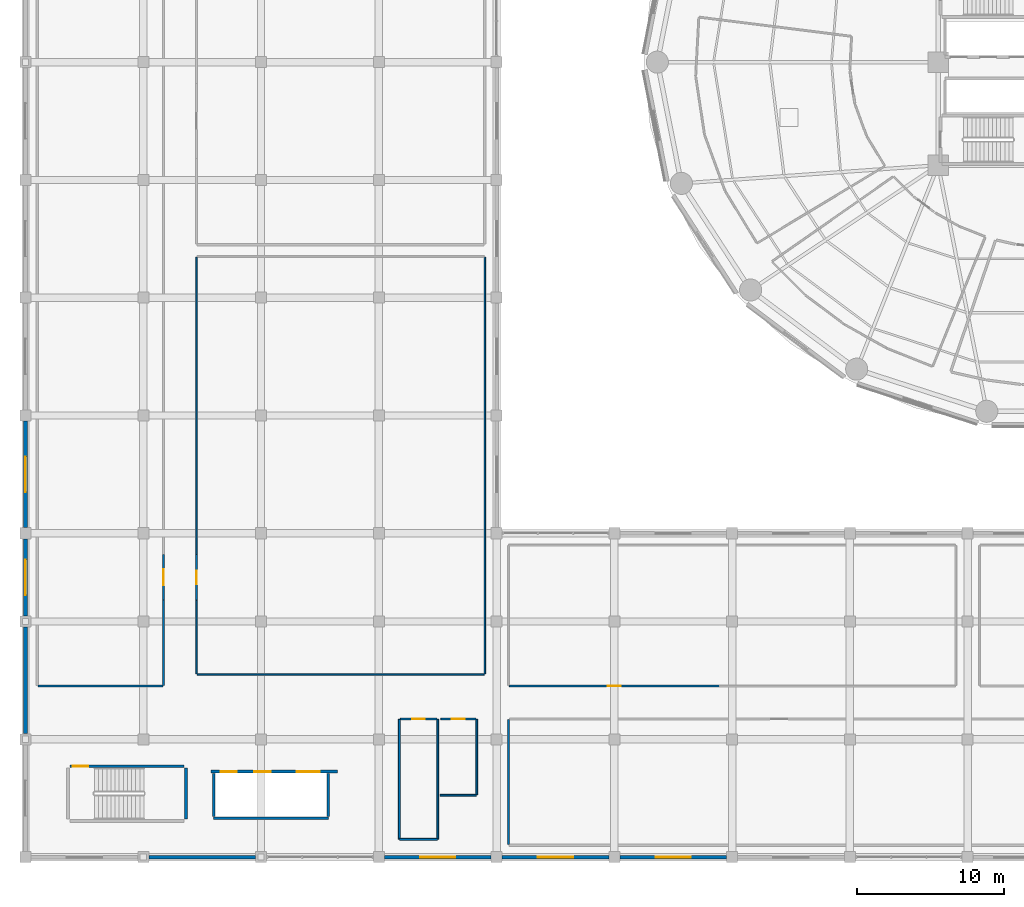
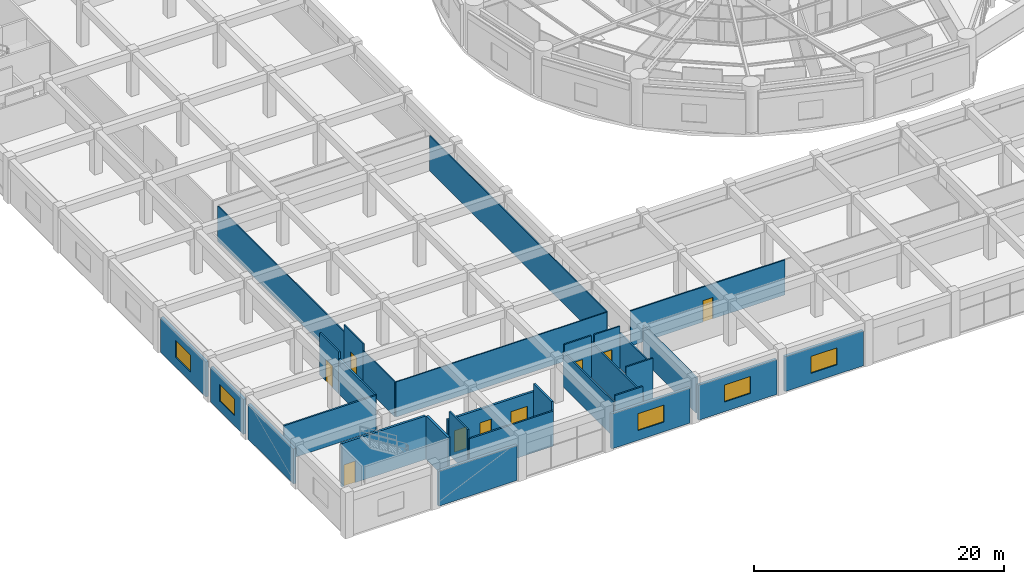
# One storey, part 40 of 53: 30 walls, 9 doors, 5 windows, 14 openings.
"""IFC4 building model written with IfcOpenShell, lengths in metres."""

from ifc_helpers import new_model, si_unit, direction, frame, frame_2d, origin, place, context, subcontext, project, spatial, rectangle, extrude, material, layer, layer_set, type_object, element, fill, save


model = new_model("IFC4")

# Units and contexts
model_context = context("Model", 3, precision=1e-05, world=origin(), true_north=direction((0.0, 1.0)))
body_context = subcontext(model_context, "Body", "Model", "MODEL_VIEW")
ifc_project = project(units=[si_unit("LENGTHUNIT", "METRE"), si_unit("AREAUNIT", "SQUARE_METRE"), si_unit("VOLUMEUNIT", "CUBIC_METRE"), si_unit("PLANEANGLEUNIT", "RADIAN"), si_unit("MASSUNIT", "GRAM", prefix="KILO")], contexts=[model_context])

# Site, building, storey
site_placement = place(None, origin())
site = spatial("IfcSite", under=ifc_project, at=site_placement, CompositionType="ELEMENT")
building_placement = place(site_placement, origin())
building = spatial("IfcBuilding", under=site, at=building_placement, Name="Kelanora Arch Commons", CompositionType="ELEMENT")
storey_placement = place(building_placement, frame((0.0, 0.0, 9.0)))
storey = spatial("IfcBuildingStorey", under=building, at=storey_placement, Name="L02", CompositionType="ELEMENT", Elevation=9.0)

# Walls
ifc_material_1 = material(Name="Autoclaved aerated concrete blockwork with fire plaster", Category="masonry")
ifc_layer_1 = layer(ifc_material_1, 0.14990234375)
ifc_layer_set_1 = layer_set([ifc_layer_1], Name="Autoclaved aerated concrete blockwork with fire plaster")
wall_type_1 = type_object("IfcWallType", Name="W-COMP-150", PredefinedType="PARTITIONING", material=ifc_layer_set_1)
wall_1_placement = place(storey_placement, frame((16.780029296875, 6.639892578125, 0.0), z_axis=(0.0, 0.0, 1.0), x_axis=(1.0, 0.0, 0.0)))
element("IfcWall", 1, at=wall_1_placement, inside=storey, type_object=wall_type_1, Name="Market South Lift Bank Back Wall L02", PredefinedType="PARTITIONING", context=body_context, shape_type="SweptSolid", body=[
    extrude(rectangle(XDim=7.7900390625, YDim=0.14990234375, at=frame_2d((3.89501953125, 0.0))), origin(), (0.0, 0.0, 1.0), 3.425048828125),
])
for number, where, z_axis, x_axis, name in (
    (2, (16.780029296875, 6.760009765625, 0.0), (0.0, 0.0, 1.0), (0.0, 1.0, 0.0), "Market South Lift Bank West Wall L02"),
    (3, (24.570068359375, 6.760009765625, 0.0), (0.0, 0.0, 1.0), (0.0, 1.0, 0.0), "Market South Lift Bank East Wall L02"),
):
    element("IfcWall", number, at=place(storey_placement, frame(where, z_axis=z_axis, x_axis=x_axis)), inside=storey, type_object=wall_type_1, Name=name, PredefinedType="PARTITIONING", context=body_context, shape_type="SweptSolid", body=[
        extrude(rectangle(XDim=2.909912109375, YDim=0.14990234375, at=frame_2d((1.455078125, 0.0))), origin(), (0.0, 0.0, 1.0), 4.22998046875),
    ])

# Wall, opening, door
wall_2_placement = place(storey_placement, frame((13.3798828125, 21.4599609375, 0.0), z_axis=(0.0, 0.0, 1.0), x_axis=(0.0, 1.0, 0.0)))
wall_2 = element("IfcWall", 4, at=wall_2_placement, inside=storey, type_object=wall_type_1, Name="Market West Textile Archive Store L02 Entry Partition", PredefinedType="PARTITIONING", context=body_context, shape_type="SweptSolid", body=[
    extrude(rectangle(XDim=3.080078125, YDim=0.14990234375, at=frame_2d((1.5400390625, 0.0))), origin(), (0.0, 0.0, 1.0), 4.090087890625),
])
opening_1_placement = place(wall_2_placement, frame((1.0, 0.0, 0.0)))
opening_1 = element("IfcOpeningElement", 5, at=opening_1_placement, cuts=wall_2, Name="Opening D-PLT1", PredefinedType="OPENING", context=body_context, shape_type="SweptSolid", body=[
    extrude(rectangle(XDim=1.080078125, YDim=2.10009765625, at=frame_2d((0.5400390625, 1.050048828125))), frame((0.0, 0.0849609375, 0.0), z_axis=(0.0, -1.0, 0.0), x_axis=(1.0, 0.0, 0.0)), (0.0, 0.0, 1.0), 0.169921875),
])
ifc_material_2 = material(Name="Galvanised steel plant and riser fire door", Category="steel")
door_type_1 = type_object("IfcDoorType", Name="D-PLT-110", OperationType="NOTDEFINED", PredefinedType="DOOR", material=ifc_material_2)
door_1_placement = place(opening_1_placement, origin())
door_1 = element("IfcDoor", 6, at=door_1_placement, inside=storey, type_object=door_type_1, Name="Market West Textile Archive Store L02 Door", OperationType="SINGLE_SWING_RIGHT", OverallHeight=2.10009765625, OverallWidth=1.080078125, PredefinedType="DOOR", context=body_context, shape_type="SweptSolid", body=[
    extrude(rectangle(XDim=1.080078125, YDim=2.10009765625, at=frame_2d((0.5400390625, 1.050048828125))), frame((0.0, 0.02490234375, 0.0), z_axis=(0.0, -1.0, 0.0), x_axis=(1.0, 0.0, 0.0)), (0.0, 0.0, 1.0), 0.050048828125),
])
fill(opening_1, door_1)

# Walls
for number, where, z_axis, x_axis, name in (
    (7, (36.800048828125, 13.340087890625, 0.0), (0.0, 0.0, 1.0), (0.0, -1.0, 0.0), "Market South Cold Room and Dry Store L02 Enclosure Partition 4"),
    (8, (4.840087890625, 15.6201171875, 0.0), (0.0, 0.0, 1.0), (1.0, 0.0, 0.0), "Market West Textile Archive Store L02 Enclosure Partition 1"),
):
    element("IfcWall", number, at=place(storey_placement, frame(where, z_axis=z_axis, x_axis=x_axis)), inside=storey, type_object=wall_type_1, Name=name, PredefinedType="PARTITIONING", context=body_context, shape_type="SweptSolid", body=[
        extrude(rectangle(XDim=8.5, YDim=0.14990234375, at=frame_2d((4.25, 0.0))), origin(), (0.0, 0.0, 1.0), 3.425048828125),
    ])
wall_3_placement = place(storey_placement, frame((13.3798828125, 15.659912109375, 0.0), z_axis=(0.0, 0.0, 1.0), x_axis=(0.0, 1.0, 0.0)))
element("IfcWall", 9, at=wall_3_placement, inside=storey, type_object=wall_type_1, Name="Market West Textile Archive Store L02 Enclosure Partition 2", PredefinedType="PARTITIONING", context=body_context, shape_type="SweptSolid", body=[
    extrude(rectangle(XDim=5.800048828125, YDim=0.14990234375, at=frame_2d((2.89990234375, 0.0))), origin(), (0.0, 0.0, 1.0), 3.425048828125),
])
ifc_material_3 = material(Name="Precast concrete C40/50 with terracotta ceramic cladding", Category="masonry")
ifc_layer_2 = layer(ifc_material_3, 0.25)
ifc_layer_set_2 = layer_set([ifc_layer_2], Name="Precast concrete C40/50 with terracotta ceramic cladding")
wall_type_2 = type_object("IfcWallType", Name="W-EXT-MKT", PredefinedType="SOLIDWALL", material=ifc_layer_set_2)
wall_4_placement = place(storey_placement, frame((12.3798828125, 4.0, 0.0), z_axis=(0.0, 0.0, 1.0), x_axis=(1.0, 0.0, 0.0)))
element("IfcWall", 10, at=wall_4_placement, inside=storey, type_object=wall_type_2, Name="Market Hall Exterior Wall L02-01", PredefinedType="SOLIDWALL", context=body_context, shape_type="SweptSolid", body=[
    extrude(rectangle(XDim=7.240234375, YDim=0.25, at=frame_2d((3.6201171875, 0.0))), origin(), (0.0, 0.0, 1.0), 3.419921875),
])

# Wall, opening, window
wall_5_placement = place(storey_placement, frame((28.3798828125, 4.0, 0.0), z_axis=(0.0, 0.0, 1.0), x_axis=(1.0, 0.0, 0.0)))
wall_5 = element("IfcWall", 11, at=wall_5_placement, inside=storey, type_object=wall_type_2, Name="Market Hall Exterior Wall L02-03", PredefinedType="SOLIDWALL", context=body_context, shape_type="SweptSolid", body=[
    extrude(rectangle(XDim=7.240234375, YDim=0.25, at=frame_2d((3.6201171875, 0.0))), origin(), (0.0, 0.0, 1.0), 3.419921875),
])
opening_2_placement = place(wall_5_placement, frame((2.419921875, 0.0, 0.949951171875)))
opening_2 = element("IfcOpeningElement", 12, at=opening_2_placement, cuts=wall_5, Name="Opening WN-03", PredefinedType="OPENING", context=body_context, shape_type="SweptSolid", body=[
    extrude(rectangle(XDim=2.39990234375, YDim=1.64990234375, at=frame_2d((1.199951171875, 0.824951171875))), frame((0.0, 0.135009765625, 0.0), z_axis=(0.0, -1.0, 0.0), x_axis=(1.0, 0.0, 0.0)), (0.0, 0.0, 1.0), 0.27001953125),
])
ifc_material_4 = material(Name="Bronze-terracotta aluminium monsoon clerestory window", Category="masonry")
window_type = type_object("IfcWindowType", Name="WIN-MKT-24", PartitioningType="TRIPLE_PANEL_VERTICAL", PredefinedType="WINDOW", material=ifc_material_4)
window_1_placement = place(opening_2_placement, origin())
window_1 = element("IfcWindow", 13, at=window_1_placement, inside=storey, type_object=window_type, Name="Market Hall Clerestory Window L02-03", OverallHeight=1.64990234375, OverallWidth=2.39990234375, PartitioningType="SINGLE_PANEL", PredefinedType="WINDOW", context=body_context, shape_type="SweptSolid", body=[
    extrude(rectangle(XDim=2.39990234375, YDim=1.64990234375, at=frame_2d((1.199951171875, 0.824951171875))), frame((0.0, 0.030029296875, 0.0), z_axis=(0.0, -1.0, 0.0), x_axis=(1.0, 0.0, 0.0)), (0.0, 0.0, 1.0), 0.06005859375),
])
fill(opening_2, window_1)

wall_6_placement = place(storey_placement, frame((36.3798828125, 4.0, 0.0), z_axis=(0.0, 0.0, 1.0), x_axis=(1.0, 0.0, 0.0)))
wall_6 = element("IfcWall", 14, at=wall_6_placement, inside=storey, type_object=wall_type_2, Name="Market Hall Exterior Wall L02-04", PredefinedType="SOLIDWALL", context=body_context, shape_type="SweptSolid", body=[
    extrude(rectangle(XDim=7.240234375, YDim=0.25, at=frame_2d((3.6201171875, 0.0))), origin(), (0.0, 0.0, 1.0), 3.419921875),
])
opening_3_placement = place(wall_6_placement, frame((2.419921875, 0.0, 0.949951171875)))
opening_3 = element("IfcOpeningElement", 15, at=opening_3_placement, cuts=wall_6, Name="Opening WN-03", PredefinedType="OPENING", context=body_context, shape_type="SweptSolid", body=[
    extrude(rectangle(XDim=2.39990234375, YDim=1.64990234375, at=frame_2d((1.199951171875, 0.824951171875))), frame((0.0, 0.135009765625, 0.0), z_axis=(0.0, -1.0, 0.0), x_axis=(1.0, 0.0, 0.0)), (0.0, 0.0, 1.0), 0.27001953125),
])
window_2_placement = place(opening_3_placement, origin())
window_2 = element("IfcWindow", 16, at=window_2_placement, inside=storey, type_object=window_type, Name="Market Hall Clerestory Window L02-04", OverallHeight=1.64990234375, OverallWidth=2.39990234375, PartitioningType="SINGLE_PANEL", PredefinedType="WINDOW", context=body_context, shape_type="SweptSolid", body=[
    extrude(rectangle(XDim=2.39990234375, YDim=1.64990234375, at=frame_2d((1.199951171875, 0.824951171875))), frame((0.0, 0.030029296875, 0.0), z_axis=(0.0, -1.0, 0.0), x_axis=(1.0, 0.0, 0.0)), (0.0, 0.0, 1.0), 0.06005859375),
])
fill(opening_3, window_2)

wall_7_placement = place(storey_placement, frame((44.3798828125, 4.0, 0.0), z_axis=(0.0, 0.0, 1.0), x_axis=(1.0, 0.0, 0.0)))
wall_7 = element("IfcWall", 17, at=wall_7_placement, inside=storey, type_object=wall_type_2, Name="Market Hall Exterior Wall L02-05", PredefinedType="SOLIDWALL", context=body_context, shape_type="SweptSolid", body=[
    extrude(rectangle(XDim=7.240234375, YDim=0.25, at=frame_2d((3.6201171875, 0.0))), origin(), (0.0, 0.0, 1.0), 3.419921875),
])
opening_4_placement = place(wall_7_placement, frame((2.419921875, 0.0, 0.949951171875)))
opening_4 = element("IfcOpeningElement", 18, at=opening_4_placement, cuts=wall_7, Name="Opening WN-03", PredefinedType="OPENING", context=body_context, shape_type="SweptSolid", body=[
    extrude(rectangle(XDim=2.39990234375, YDim=1.64990234375, at=frame_2d((1.199951171875, 0.824951171875))), frame((0.0, 0.135009765625, 0.0), z_axis=(0.0, -1.0, 0.0), x_axis=(1.0, 0.0, 0.0)), (0.0, 0.0, 1.0), 0.27001953125),
])
window_3_placement = place(opening_4_placement, origin())
window_3 = element("IfcWindow", 19, at=window_3_placement, inside=storey, type_object=window_type, Name="Market Hall Clerestory Window L02-05", OverallHeight=1.64990234375, OverallWidth=2.39990234375, PartitioningType="SINGLE_PANEL", PredefinedType="WINDOW", context=body_context, shape_type="SweptSolid", body=[
    extrude(rectangle(XDim=2.39990234375, YDim=1.64990234375, at=frame_2d((1.199951171875, 0.824951171875))), frame((0.0, 0.030029296875, 0.0), z_axis=(0.0, -1.0, 0.0), x_axis=(1.0, 0.0, 0.0)), (0.0, 0.0, 1.0), 0.06005859375),
])
fill(opening_4, window_3)

wall_8_placement = place(storey_placement, frame((4.0, 33.6201171875, 0.0), z_axis=(0.0, 0.0, 1.0), x_axis=(0.0, -1.0, 0.0)))
wall_8 = element("IfcWall", 20, at=wall_8_placement, inside=storey, type_object=wall_type_2, Name="Market Hall Exterior Wall L02-40", PredefinedType="SOLIDWALL", context=body_context, shape_type="SweptSolid", body=[
    extrude(rectangle(XDim=7.240234375, YDim=0.25, at=frame_2d((3.6201171875, 0.0))), origin(), (0.0, 0.0, 1.0), 3.419921875),
])
opening_5_placement = place(wall_8_placement, frame((2.419921875, 0.0, 0.949951171875)))
opening_5 = element("IfcOpeningElement", 21, at=opening_5_placement, cuts=wall_8, Name="Opening WN-03", PredefinedType="OPENING", context=body_context, shape_type="SweptSolid", body=[
    extrude(rectangle(XDim=2.39990234375, YDim=1.64990234375, at=frame_2d((1.199951171875, 0.824951171875))), frame((0.0, 0.135009765625, 0.0), z_axis=(0.0, -1.0, 0.0), x_axis=(1.0, 0.0, 0.0)), (0.0, 0.0, 1.0), 0.27001953125),
])
window_4_placement = place(opening_5_placement, origin())
window_4 = element("IfcWindow", 22, at=window_4_placement, inside=storey, type_object=window_type, Name="Market Hall Clerestory Window L02-40", OverallHeight=1.64990234375, OverallWidth=2.39990234375, PartitioningType="SINGLE_PANEL", PredefinedType="WINDOW", context=body_context, shape_type="SweptSolid", body=[
    extrude(rectangle(XDim=2.39990234375, YDim=1.64990234375, at=frame_2d((1.199951171875, 0.824951171875))), frame((0.0, 0.030029296875, 0.0), z_axis=(0.0, -1.0, 0.0), x_axis=(1.0, 0.0, 0.0)), (0.0, 0.0, 1.0), 0.06005859375),
])
fill(opening_5, window_4)

wall_9_placement = place(storey_placement, frame((4.0, 25.6201171875, 0.0), z_axis=(0.0, 0.0, 1.0), x_axis=(0.0, -1.0, 0.0)))
wall_9 = element("IfcWall", 23, at=wall_9_placement, inside=storey, type_object=wall_type_2, Name="Market Hall Exterior Wall L02-41", PredefinedType="SOLIDWALL", context=body_context, shape_type="SweptSolid", body=[
    extrude(rectangle(XDim=5.240234375, YDim=0.25, at=frame_2d((2.6201171875, 0.0))), origin(), (0.0, 0.0, 1.0), 3.419921875),
])
opening_6_placement = place(wall_9_placement, frame((1.419921875, 0.0, 0.949951171875)))
opening_6 = element("IfcOpeningElement", 24, at=opening_6_placement, cuts=wall_9, Name="Opening WN-03", PredefinedType="OPENING", context=body_context, shape_type="SweptSolid", body=[
    extrude(rectangle(XDim=2.39990234375, YDim=1.64990234375, at=frame_2d((1.199951171875, 0.824951171875))), frame((0.0, 0.135009765625, 0.0), z_axis=(0.0, -1.0, 0.0), x_axis=(1.0, 0.0, 0.0)), (0.0, 0.0, 1.0), 0.27001953125),
])
window_5_placement = place(opening_6_placement, origin())
window_5 = element("IfcWindow", 25, at=window_5_placement, inside=storey, type_object=window_type, Name="Market Hall Clerestory Window L02-41", OverallHeight=1.64990234375, OverallWidth=2.39990234375, PartitioningType="SINGLE_PANEL", PredefinedType="WINDOW", context=body_context, shape_type="SweptSolid", body=[
    extrude(rectangle(XDim=2.39990234375, YDim=1.64990234375, at=frame_2d((1.199951171875, 0.824951171875))), frame((0.0, 0.030029296875, 0.0), z_axis=(0.0, -1.0, 0.0), x_axis=(1.0, 0.0, 0.0)), (0.0, 0.0, 1.0), 0.06005859375),
])
fill(opening_6, window_5)

# Wall
wall_10_placement = place(storey_placement, frame((4.0, 19.6201171875, 0.0), z_axis=(0.0, 0.0, 1.0), x_axis=(0.0, -1.0, 0.0)))
element("IfcWall", 26, at=wall_10_placement, inside=storey, type_object=wall_type_2, Name="Market Hall Exterior Wall L02-42", PredefinedType="SOLIDWALL", context=body_context, shape_type="SweptSolid", body=[
    extrude(rectangle(XDim=7.240234375, YDim=0.25, at=frame_2d((3.6201171875, 0.0))), origin(), (0.0, 0.0, 1.0), 3.419921875),
])

# Wall, openings, doors
ifc_material_5 = material(Name="Concrete C40/50", Category="concrete")
ifc_layer_3 = layer(ifc_material_5, 0.199951171875)
ifc_layer_set_3 = layer_set([ifc_layer_3], Name="Concrete C40/50")
wall_type_3 = type_object("IfcWallType", Name="W-FFL-200", PredefinedType="SOLIDWALL", material=ifc_layer_set_3)
wall_11_placement = place(storey_placement, frame((16.60009765625, 9.800048828125, 0.0), z_axis=(0.0, 0.0, 1.0), x_axis=(1.0, 0.0, 0.0)))
wall_11 = element("IfcWall", 27, at=wall_11_placement, inside=storey, type_object=wall_type_3, Name="Market South Lift Shaft Front L02", PredefinedType="SOLIDWALL", context=body_context, shape_type="SweptSolid", body=[
    extrude(rectangle(XDim=8.599853515625, YDim=0.199951171875, at=frame_2d((4.2998046875, 0.0))), origin(), (0.0, 0.0, 1.0), 3.425048828125),
])
opening_7_placement = place(wall_11_placement, frame((0.64990234375, 0.0, 0.0)))
opening_7 = element("IfcOpeningElement", 28, at=opening_7_placement, cuts=wall_11, Name="Opening LD-01", PredefinedType="OPENING", context=body_context, shape_type="SweptSolid", body=[
    extrude(rectangle(XDim=1.10009765625, YDim=2.10009765625, at=frame_2d((0.550048828125, 1.050048828125))), frame((0.0, 0.10986328125, 0.0), z_axis=(0.0, -1.0, 0.0), x_axis=(1.0, 0.0, 0.0)), (0.0, 0.0, 1.0), 0.219970703125),
])
opening_8_placement = place(wall_11_placement, frame((2.949951171875, 0.0, 0.0)))
opening_8 = element("IfcOpeningElement", 29, at=opening_8_placement, cuts=wall_11, Name="Opening LD-01", PredefinedType="OPENING", context=body_context, shape_type="SweptSolid", body=[
    extrude(rectangle(XDim=1.10009765625, YDim=2.10009765625, at=frame_2d((0.550048828125, 1.050048828125))), frame((0.0, 0.10986328125, 0.0), z_axis=(0.0, -1.0, 0.0), x_axis=(1.0, 0.0, 0.0)), (0.0, 0.0, 1.0), 0.219970703125),
])
opening_9_placement = place(wall_11_placement, frame((5.824951171875, 0.0, 0.0)))
opening_9 = element("IfcOpeningElement", 30, at=opening_9_placement, cuts=wall_11, Name="Opening LD-GD", PredefinedType="OPENING", context=body_context, shape_type="SweptSolid", body=[
    extrude(rectangle(XDim=1.550048828125, YDim=2.199951171875, at=frame_2d((0.77490234375, 1.10009765625))), frame((0.0, 0.10986328125, 0.0), z_axis=(0.0, -1.0, 0.0), x_axis=(1.0, 0.0, 0.0)), (0.0, 0.0, 1.0), 0.219970703125),
])
ifc_material_6 = material(Name="Stainless steel passenger lift sliding landing door", Category="steel")
door_type_2 = type_object("IfcDoorType", Name="D-LIFT-110", OperationType="NOTDEFINED", PredefinedType="DOOR", material=ifc_material_6)
door_2_placement = place(opening_7_placement, origin())
door_2 = element("IfcDoor", 31, at=door_2_placement, inside=storey, type_object=door_type_2, Name="Market Lift LF-MP1 Landing Door L02", OperationType="DOUBLE_DOOR_SLIDING", OverallHeight=2.10009765625, OverallWidth=1.10009765625, PredefinedType="DOOR", context=body_context, shape_type="SweptSolid", body=[
    extrude(rectangle(XDim=1.10009765625, YDim=2.10009765625, at=frame_2d((0.550048828125, 1.050048828125))), frame((0.0, 0.02490234375, 0.0), z_axis=(0.0, -1.0, 0.0), x_axis=(1.0, 0.0, 0.0)), (0.0, 0.0, 1.0), 0.050048828125),
])
fill(opening_7, door_2)
door_3_placement = place(opening_8_placement, origin())
door_3 = element("IfcDoor", 32, at=door_3_placement, inside=storey, type_object=door_type_2, Name="Market Lift LF-MP2 Landing Door L02", OperationType="DOUBLE_DOOR_SLIDING", OverallHeight=2.10009765625, OverallWidth=1.10009765625, PredefinedType="DOOR", context=body_context, shape_type="SweptSolid", body=[
    extrude(rectangle(XDim=1.10009765625, YDim=2.10009765625, at=frame_2d((0.550048828125, 1.050048828125))), frame((0.0, 0.02490234375, 0.0), z_axis=(0.0, -1.0, 0.0), x_axis=(1.0, 0.0, 0.0)), (0.0, 0.0, 1.0), 0.050048828125),
])
fill(opening_8, door_3)
ifc_material_7 = material(Name="Heavy-duty goods lift bi-parting sliding landing door")
door_type_3 = type_object("IfcDoorType", Name="D-LIFT-GDS", OperationType="NOTDEFINED", PredefinedType="DOOR", material=ifc_material_7)
door_4_placement = place(opening_9_placement, origin())
door_4 = element("IfcDoor", 33, at=door_4_placement, inside=storey, type_object=door_type_3, Name="Market Lift LF-MG1 Landing Door L02", OperationType="DOUBLE_DOOR_SLIDING", OverallHeight=2.199951171875, OverallWidth=1.550048828125, PredefinedType="DOOR", context=body_context, shape_type="SweptSolid", body=[
    extrude(rectangle(XDim=1.550048828125, YDim=2.199951171875, at=frame_2d((0.77490234375, 1.10009765625))), frame((0.0, 0.02490234375, 0.0), z_axis=(0.0, -1.0, 0.0), x_axis=(1.0, 0.0, 0.0)), (0.0, 0.0, 1.0), 0.050048828125),
])
fill(opening_9, door_4)

# Walls
ifc_material_8 = material(Name="Lightweight fire-rated acoustic stud partition")
ifc_layer_4 = layer(ifc_material_8, 0.10009765625)
ifc_layer_set_4 = layer_set([ifc_layer_4], Name="Lightweight fire-rated acoustic stud partition")
wall_type_4 = type_object("IfcWallType", Name="W-PART-100", PredefinedType="PARTITIONING", material=ifc_layer_set_4)
wall_12_placement = place(storey_placement, frame((15.659912109375, 16.39990234375, 0.0), z_axis=(0.0, 0.0, 1.0), x_axis=(1.0, 0.0, 0.0)))
element("IfcWall", 34, at=wall_12_placement, inside=storey, type_object=wall_type_4, Name="Student Co-Op Bookshop and Print Workshop Enclosure Partition 1", PredefinedType="PARTITIONING", context=body_context, shape_type="SweptSolid", body=[
    extrude(rectangle(XDim=19.5, YDim=0.10009765625, at=frame_2d((9.75, 0.0))), origin(), (0.0, 0.0, 1.0), 3.425048828125),
])
wall_13_placement = place(storey_placement, frame((35.199951171875, 16.43994140625, 0.0), z_axis=(0.0, 0.0, 1.0), x_axis=(0.0, 1.0, 0.0)))
element("IfcWall", 35, at=wall_13_placement, inside=storey, type_object=wall_type_4, Name="Student Co-Op Bookshop and Print Workshop Enclosure Partition 2", PredefinedType="PARTITIONING", context=body_context, shape_type="SweptSolid", body=[
    extrude(rectangle(XDim=28.320068359375, YDim=0.10009765625, at=frame_2d((14.16015625, 0.0))), origin(), (0.0, 0.0, 1.0), 3.425048828125),
])
wall_14_placement = place(storey_placement, frame((15.6201171875, 44.760009765625, 0.0), z_axis=(0.0, 0.0, 1.0), x_axis=(0.0, -1.0, 0.0)))
element("IfcWall", 36, at=wall_14_placement, inside=storey, type_object=wall_type_4, Name="Student Co-Op Bookshop and Print Workshop Enclosure Partition 4", PredefinedType="PARTITIONING", context=body_context, shape_type="SweptSolid", body=[
    extrude(rectangle(XDim=20.219970703125, YDim=0.10009765625, at=frame_2d((10.10986328125, 0.0))), origin(), (0.0, 0.0, 1.0), 3.425048828125),
])
wall_15_placement = place(storey_placement, frame((15.6201171875, 21.4599609375, 0.0), z_axis=(0.0, 0.0, 1.0), x_axis=(0.0, -1.0, 0.0)))
element("IfcWall", 37, at=wall_15_placement, inside=storey, type_object=wall_type_4, Name="Student Co-Op Bookshop and Print Workshop Enclosure Partition 4", PredefinedType="PARTITIONING", context=body_context, shape_type="SweptSolid", body=[
    extrude(rectangle(XDim=5.02001953125, YDim=0.10009765625, at=frame_2d((2.510009765625, 0.0))), origin(), (0.0, 0.0, 1.0), 3.425048828125),
])

# Wall, opening, door
ifc_material_9 = material(Name="Acoustic twin-stud fire-rated gypsum partition")
ifc_layer_5 = layer(ifc_material_9, 0.1201171875)
ifc_layer_set_5 = layer_set([ifc_layer_5], Name="Acoustic twin-stud fire-rated gypsum partition")
wall_type_5 = type_object("IfcWallType", Name="W-PART-120", PredefinedType="PARTITIONING", material=ifc_layer_set_5)
wall_16_placement = place(storey_placement, frame((36.860107421875, 15.6201171875, 0.0), z_axis=(0.0, 0.0, 1.0), x_axis=(1.0, 0.0, 0.0)))
wall_16 = element("IfcWall", 38, at=wall_16_placement, inside=storey, type_object=wall_type_5, Name="Textile and Ceramic Maker Studios Entry Partition", PredefinedType="PARTITIONING", context=body_context, shape_type="SweptSolid", body=[
    extrude(rectangle(XDim=14.27978515625, YDim=0.1201171875, at=frame_2d((7.139892578125, 0.0))), origin(), (0.0, 0.0, 1.0), 3.425048828125),
])
opening_10_placement = place(wall_16_placement, frame((6.68994140625, 0.0, 0.0)))
opening_10 = element("IfcOpeningElement", 39, at=opening_10_placement, cuts=wall_16, Name="Opening D-RM1", PredefinedType="OPENING", context=body_context, shape_type="SweptSolid", body=[
    extrude(rectangle(XDim=0.89990234375, YDim=2.080078125, at=frame_2d((0.449951171875, 1.0400390625))), frame((0.0, 0.070068359375, 0.0), z_axis=(0.0, -1.0, 0.0), x_axis=(1.0, 0.0, 0.0)), (0.0, 0.0, 1.0), 0.14013671875),
])
ifc_material_10 = material(Name="Acoustic fire-rated timber study and lounge door", Category="wood")
door_type_4 = type_object("IfcDoorType", Name="D-ROOM-90", OperationType="NOTDEFINED", PredefinedType="DOOR", material=ifc_material_10)
door_5_placement = place(opening_10_placement, origin())
door_5 = element("IfcDoor", 40, at=door_5_placement, inside=storey, type_object=door_type_4, Name="Textile and Ceramic Maker Studios Door", OperationType="SINGLE_SWING_LEFT", OverallHeight=2.080078125, OverallWidth=0.89990234375, PredefinedType="DOOR", context=body_context, shape_type="SweptSolid", body=[
    extrude(rectangle(XDim=0.89990234375, YDim=2.080078125, at=frame_2d((0.449951171875, 1.0400390625))), frame((0.0, 0.02490234375, 0.0), z_axis=(0.0, -1.0, 0.0), x_axis=(1.0, 0.0, 0.0)), (0.0, 0.0, 1.0), 0.050048828125),
])
fill(opening_10, door_5)

wall_17_placement = place(storey_placement, frame((15.6201171875, 21.4599609375, 0.0), z_axis=(0.0, 0.0, 1.0), x_axis=(0.0, 1.0, 0.0)))
wall_17 = element("IfcWall", 41, at=wall_17_placement, inside=storey, type_object=wall_type_5, Name="Student Co-Op Bookshop and Print Workshop Entry Partition", PredefinedType="PARTITIONING", context=body_context, shape_type="SweptSolid", body=[
    extrude(rectangle(XDim=3.080078125, YDim=0.1201171875, at=frame_2d((1.5400390625, 0.0))), origin(), (0.0, 0.0, 1.0), 4.090087890625),
])
opening_11_placement = place(wall_17_placement, frame((1.090087890625, 0.0, 0.0)))
opening_11 = element("IfcOpeningElement", 42, at=opening_11_placement, cuts=wall_17, Name="Opening D-RM1", PredefinedType="OPENING", context=body_context, shape_type="SweptSolid", body=[
    extrude(rectangle(XDim=0.89990234375, YDim=2.080078125, at=frame_2d((0.449951171875, 1.0400390625))), frame((0.0, 0.070068359375, 0.0), z_axis=(0.0, -1.0, 0.0), x_axis=(1.0, 0.0, 0.0)), (0.0, 0.0, 1.0), 0.14013671875),
])
door_6_placement = place(opening_11_placement, origin())
door_6 = element("IfcDoor", 43, at=door_6_placement, inside=storey, type_object=door_type_4, Name="Student Co-Op Bookshop and Print Workshop Door", OperationType="SINGLE_SWING_RIGHT", OverallHeight=2.080078125, OverallWidth=0.89990234375, PredefinedType="DOOR", context=body_context, shape_type="SweptSolid", body=[
    extrude(rectangle(XDim=0.89990234375, YDim=2.080078125, at=frame_2d((0.449951171875, 1.0400390625))), frame((0.0, 0.02490234375, 0.0), z_axis=(0.0, -1.0, 0.0), x_axis=(1.0, 0.0, 0.0)), (0.0, 0.0, 1.0), 0.050048828125),
])
fill(opening_11, door_6)

# Wall
ifc_layer_6 = layer(ifc_material_5, 0.199951171875)
ifc_layer_set_6 = layer_set([ifc_layer_6], Name="Concrete C40/50")
wall_type_6 = type_object("IfcWallType", Name="W-STAIR-200", PredefinedType="SHEAR", material=ifc_layer_set_6)
wall_18_placement = place(storey_placement, frame((14.89990234375, 6.580078125, 0.0), z_axis=(0.0, 0.0, 1.0), x_axis=(0.0, 1.0, 0.0)))
element("IfcWall", 44, at=wall_18_placement, inside=storey, type_object=wall_type_6, Name="Stair ST-M1 Shaft Wall E L02", PredefinedType="SHEAR", context=body_context, shape_type="SweptSolid", body=[
    extrude(rectangle(XDim=3.469970703125, YDim=0.199951171875, at=frame_2d((1.73486328125, 0.0))), origin(), (0.0, 0.0, 1.0), 4.239990234375),
])

# Wall, opening, door
wall_19_placement = place(storey_placement, frame((14.780029296875, 10.169921875, 0.0), z_axis=(0.0, 0.0, 1.0), x_axis=(-1.0, 0.0, 0.0)))
wall_19 = element("IfcWall", 45, at=wall_19_placement, inside=storey, type_object=wall_type_6, Name="Stair ST-M1 Shaft Wall N L02", PredefinedType="SHEAR", context=body_context, shape_type="SweptSolid", body=[
    extrude(rectangle(XDim=7.760009765625, YDim=0.199951171875, at=frame_2d((3.8798828125, 0.0))), origin(), (0.0, 0.0, 1.0), 4.239990234375),
])
opening_12_placement = place(wall_19_placement, frame((6.510009765625, 0.0, 0.0)))
opening_12 = element("IfcOpeningElement", 46, at=opening_12_placement, cuts=wall_19, Name="Opening D-ST1", PredefinedType="OPENING", context=body_context, shape_type="SweptSolid", body=[
    extrude(rectangle(XDim=1.050048828125, YDim=2.10009765625, at=frame_2d((0.52490234375, 1.050048828125))), frame((0.0, 0.10986328125, 0.0), z_axis=(0.0, -1.0, 0.0), x_axis=(1.0, 0.0, 0.0)), (0.0, 0.0, 1.0), 0.219970703125),
])
ifc_material_11 = material(Name="Steel fire-rated stairwell escape door", Category="steel")
door_type_5 = type_object("IfcDoorType", Name="D-STAIR-110", OperationType="NOTDEFINED", PredefinedType="DOOR", material=ifc_material_11)
door_7_placement = place(opening_12_placement, origin())
door_7 = element("IfcDoor", 47, at=door_7_placement, inside=storey, type_object=door_type_5, Name="Stair ST-M1 Escape Door L02", OperationType="SINGLE_SWING_RIGHT", OverallHeight=2.10009765625, OverallWidth=1.050048828125, PredefinedType="DOOR", context=body_context, shape_type="SweptSolid", body=[
    extrude(rectangle(XDim=1.050048828125, YDim=2.10009765625, at=frame_2d((0.52490234375, 1.050048828125))), frame((0.0, 0.02490234375, 0.0), z_axis=(0.0, -1.0, 0.0), x_axis=(1.0, 0.0, 0.0)), (0.0, 0.0, 1.0), 0.050048828125),
])
fill(opening_12, door_7)

ifc_material_12 = material(Name="Moisture-resistant fire-rated cement-board plumbing wall")
ifc_layer_7 = layer(ifc_material_12, 0.1298828125)
ifc_layer_set_7 = layer_set([ifc_layer_7], Name="Moisture-resistant fire-rated cement-board plumbing wall")
wall_type_7 = type_object("IfcWallType", Name="W-WET-120", PredefinedType="PLUMBINGWALL", material=ifc_layer_set_7)
wall_20_placement = place(storey_placement, frame((29.4599609375, 13.3798828125, 0.0), z_axis=(0.0, 0.0, 1.0), x_axis=(1.0, 0.0, 0.0)))
wall_20 = element("IfcWall", 48, at=wall_20_placement, inside=storey, type_object=wall_type_7, Name="Market Public Toilets L02 Entry Partition", PredefinedType="PLUMBINGWALL", context=body_context, shape_type="SweptSolid", body=[
    extrude(rectangle(XDim=2.47998046875, YDim=0.1298828125, at=frame_2d((1.239990234375, 0.0))), origin(), (0.0, 0.0, 1.0), 4.090087890625),
])
opening_13_placement = place(wall_20_placement, frame((0.81005859375, 0.0, 0.0)))
opening_13 = element("IfcOpeningElement", 49, at=opening_13_placement, cuts=wall_20, Name="Opening D-BT1", PredefinedType="OPENING", context=body_context, shape_type="SweptSolid", body=[
    extrude(rectangle(XDim=0.860107421875, YDim=2.050048828125, at=frame_2d((0.43017578125, 1.02490234375))), frame((0.0, 0.074951171875, 0.0), z_axis=(0.0, -1.0, 0.0), x_axis=(1.0, 0.0, 0.0)), (0.0, 0.0, 1.0), 0.14990234375),
])
ifc_material_13 = material(Name="Moisture-sealed fire-rated accessible bathroom door")
door_type_6 = type_object("IfcDoorType", Name="D-BATH-85", OperationType="NOTDEFINED", PredefinedType="DOOR", material=ifc_material_13)
door_8_placement = place(opening_13_placement, origin())
door_8 = element("IfcDoor", 50, at=door_8_placement, inside=storey, type_object=door_type_6, Name="Market Public Toilets L02 Door", OperationType="SINGLE_SWING_LEFT", OverallHeight=2.050048828125, OverallWidth=0.860107421875, PredefinedType="DOOR", context=body_context, shape_type="SweptSolid", body=[
    extrude(rectangle(XDim=0.860107421875, YDim=2.050048828125, at=frame_2d((0.43017578125, 1.02490234375))), frame((0.0, 0.02490234375, 0.0), z_axis=(0.0, -1.0, 0.0), x_axis=(1.0, 0.0, 0.0)), (0.0, 0.0, 1.0), 0.050048828125),
])
fill(opening_13, door_8)

wall_21_placement = place(storey_placement, frame((32.2099609375, 13.3798828125, 0.0), z_axis=(0.0, 0.0, 1.0), x_axis=(1.0, 0.0, 0.0)))
wall_21 = element("IfcWall", 51, at=wall_21_placement, inside=storey, type_object=wall_type_7, Name="Market Accessible WC L02 Entry Partition", PredefinedType="PLUMBINGWALL", context=body_context, shape_type="SweptSolid", body=[
    extrude(rectangle(XDim=2.380126953125, YDim=0.1298828125, at=frame_2d((1.18994140625, 0.0))), origin(), (0.0, 0.0, 1.0), 4.090087890625),
])
opening_14_placement = place(wall_21_placement, frame((0.760009765625, 0.0, 0.0)))
opening_14 = element("IfcOpeningElement", 52, at=opening_14_placement, cuts=wall_21, Name="Opening D-BT1", PredefinedType="OPENING", context=body_context, shape_type="SweptSolid", body=[
    extrude(rectangle(XDim=0.860107421875, YDim=2.050048828125, at=frame_2d((0.43017578125, 1.02490234375))), frame((0.0, 0.074951171875, 0.0), z_axis=(0.0, -1.0, 0.0), x_axis=(1.0, 0.0, 0.0)), (0.0, 0.0, 1.0), 0.14990234375),
])
door_9_placement = place(opening_14_placement, origin())
door_9 = element("IfcDoor", 53, at=door_9_placement, inside=storey, type_object=door_type_6, Name="Market Accessible WC L02 Door", OperationType="SINGLE_SWING_RIGHT", OverallHeight=2.050048828125, OverallWidth=0.860107421875, PredefinedType="DOOR", context=body_context, shape_type="SweptSolid", body=[
    extrude(rectangle(XDim=0.860107421875, YDim=2.050048828125, at=frame_2d((0.43017578125, 1.02490234375))), frame((0.0, 0.02490234375, 0.0), z_axis=(0.0, -1.0, 0.0), x_axis=(1.0, 0.0, 0.0)), (0.0, 0.0, 1.0), 0.050048828125),
])
fill(opening_14, door_9)

# Walls
wall_22_placement = place(storey_placement, frame((29.419921875, 5.199951171875, 0.0), z_axis=(0.0, 0.0, 1.0), x_axis=(1.0, 0.0, 0.0)))
element("IfcWall", 54, at=wall_22_placement, inside=storey, type_object=wall_type_7, Name="Market Public Toilets L02 Enclosure Partition 1", PredefinedType="PLUMBINGWALL", context=body_context, shape_type="SweptSolid", body=[
    extrude(rectangle(XDim=2.56005859375, YDim=0.1298828125, at=frame_2d((1.280029296875, 0.0))), origin(), (0.0, 0.0, 1.0), 4.090087890625),
])
for number, where, z_axis, x_axis, name in (
    (55, (32.0, 5.219970703125, 0.0), (0.0, 0.0, 1.0), (0.0, 1.0, 0.0), "Market Public Toilets L02 Enclosure Partition 2"),
    (56, (29.39990234375, 13.360107421875, 0.0), (0.0, 0.0, 1.0), (0.0, -1.0, 0.0), "Market Public Toilets L02 Enclosure Partition 4"),
):
    element("IfcWall", number, at=place(storey_placement, frame(where, z_axis=z_axis, x_axis=x_axis)), inside=storey, type_object=wall_type_7, Name=name, PredefinedType="PLUMBINGWALL", context=body_context, shape_type="SweptSolid", body=[
        extrude(rectangle(XDim=8.14013671875, YDim=0.1298828125, at=frame_2d((4.070068359375, 0.0))), origin(), (0.0, 0.0, 1.0), 3.425048828125),
    ])
wall_23_placement = place(storey_placement, frame((32.169921875, 8.199951171875, 0.0), z_axis=(0.0, 0.0, 1.0), x_axis=(1.0, 0.0, 0.0)))
element("IfcWall", 57, at=wall_23_placement, inside=storey, type_object=wall_type_7, Name="Market Accessible WC L02 Enclosure Partition 1", PredefinedType="PLUMBINGWALL", context=body_context, shape_type="SweptSolid", body=[
    extrude(rectangle(XDim=2.4599609375, YDim=0.1298828125, at=frame_2d((1.22998046875, 0.0))), origin(), (0.0, 0.0, 1.0), 4.090087890625),
])
wall_24_placement = place(storey_placement, frame((34.64990234375, 8.219970703125, 0.0), z_axis=(0.0, 0.0, 1.0), x_axis=(0.0, 1.0, 0.0)))
element("IfcWall", 58, at=wall_24_placement, inside=storey, type_object=wall_type_7, Name="Market Accessible WC L02 Enclosure Partition 2", PredefinedType="PLUMBINGWALL", context=body_context, shape_type="SweptSolid", body=[
    extrude(rectangle(XDim=5.14013671875, YDim=0.1298828125, at=frame_2d((2.570068359375, 0.0))), origin(), (0.0, 0.0, 1.0), 3.425048828125),
])

save(model, "model.ifc")
